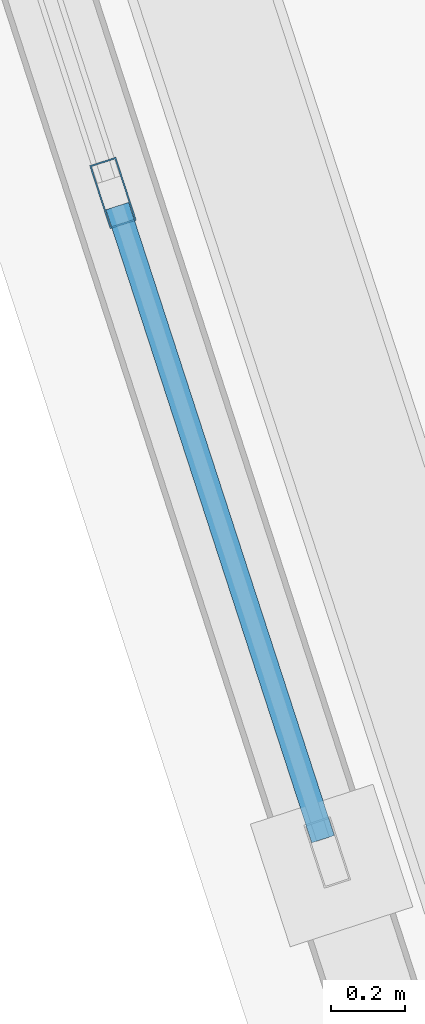
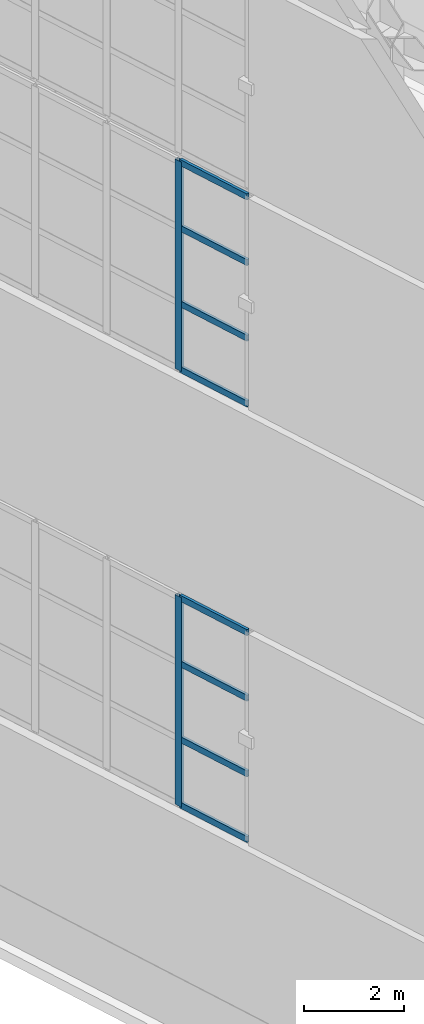
# One storey, part 14 of 56: 10 members, 2 elements without a shape of their own.
"""IFC4 building model written with IfcOpenShell, lengths in metres."""

from ifc_helpers import new_model, si_unit, direction, frame, origin, origin_2d, place, context, subcontext, project, spatial, hollow_rectangle, extrude, material, layer, layer_set, material_profile, profile_set, type_object, element, aggregate, save


model = new_model("IFC4")

# Units and contexts
model_context = context("Model", 3, precision=1e-05, world=origin(), true_north=direction((0.0, 1.0)))
body_context = subcontext(model_context, "Body", "Model", "MODEL_VIEW")
ifc_project = project(units=[si_unit("LENGTHUNIT", "METRE"), si_unit("AREAUNIT", "SQUARE_METRE"), si_unit("VOLUMEUNIT", "CUBIC_METRE"), si_unit("PLANEANGLEUNIT", "RADIAN"), si_unit("MASSUNIT", "GRAM", prefix="KILO")], contexts=[model_context])

# Site, building, storey
site_placement = place(None, origin())
site = spatial("IfcSite", under=ifc_project, at=site_placement, CompositionType="ELEMENT")
building_placement = place(site_placement, origin())
building = spatial("IfcBuilding", under=site, at=building_placement, Name="Qiaolan Cultural Towers", CompositionType="ELEMENT")
storey_placement = place(building_placement, frame((0.0, 0.0, 250.39990234375)))
storey = spatial("IfcBuildingStorey", under=building, at=storey_placement, Name="L68", CompositionType="ELEMENT", Elevation=250.39990234375)

# Curtain wall, member
ifc_material_1 = material(Name="Unitized Anodized Aluminium Curtain Wall System", Category="aluminium")
ifc_layer = layer(ifc_material_1, 0.199951171875)
ifc_layer_set = layer_set([ifc_layer], Name="Unitized Anodized Aluminium Curtain Wall System")
curtain_wall_type = type_object("IfcCurtainWallType", Name="CWS-06", PredefinedType="NOTDEFINED", material=ifc_layer_set)
curtain_wall_1_placement = place(storey_placement, origin())
curtain_wall_1 = element("IfcCurtainWall", 1, at=curtain_wall_1_placement, inside=storey, type_object=curtain_wall_type, Name="T2 Crown Tier 2 Fritted Screen Curtain Wall 7", PredefinedType="NOTDEFINED")
ifc_material_2 = material(Name="Extruded Aluminium 6063-T6", Category="aluminium")
ifc_material_profile_1 = material_profile(ifc_material_2, hollow_rectangle(XDim=0.074951171875, YDim=0.179931640625, WallThickness=0.00390625, at=origin_2d()), Name="CWM-180x75x4")
ifc_profile_set_1 = profile_set([ifc_material_profile_1], Name="Extruded Aluminium 6063-T6")
member_type_1 = type_object("IfcMemberType", Name="CWS-06-MUL", PredefinedType="MULLION", material=ifc_profile_set_1)
member_1_placement = place(storey_placement, frame((78.014404296875, 26.068115234375, 5.400146484375), z_axis=(0.0, 0.0, 1.0), x_axis=(0.951056535512, 0.309016935232, 0.0)))
member_1 = element("IfcMember", 2, at=member_1_placement, type_object=member_type_1, Name="CW-6 mullion 6", PredefinedType="MULLION", context=body_context, shape_type="SweptSolid", body=[
    extrude(hollow_rectangle(XDim=0.074951171875, YDim=0.179931640625, WallThickness=0.00390625, at=origin_2d()), origin(), (0.0, 0.0, 1.0), 5.099853515625),
])

curtain_wall_2_placement = place(storey_placement, origin())
curtain_wall_2 = element("IfcCurtainWall", 3, at=curtain_wall_2_placement, inside=storey, type_object=curtain_wall_type, Name="T2 Crown Tier 4 Fritted Screen Curtain Wall 7", PredefinedType="NOTDEFINED")
member_2_placement = place(storey_placement, frame((78.014404296875, 26.068115234375, 16.0), z_axis=(0.0, 0.0, 1.0), x_axis=(0.951056535512, 0.309016935232, 0.0)))
member_2 = element("IfcMember", 4, at=member_2_placement, type_object=member_type_1, Name="CW-6 mullion 6", PredefinedType="MULLION", context=body_context, shape_type="SweptSolid", body=[
    extrude(hollow_rectangle(XDim=0.074951171875, YDim=0.179931640625, WallThickness=0.00390625, at=origin_2d()), origin(), (0.0, 0.0, 1.0), 5.10009765625),
])

# Member
ifc_material_3 = material(Name="Extruded Aluminium 6063-T6", Category="aluminium")
ifc_material_profile_2 = material_profile(ifc_material_3, hollow_rectangle(XDim=0.06494140625, YDim=0.14990234375, WallThickness=0.00390625, at=origin_2d()), Name="CWT-150x65x4")
ifc_profile_set_2 = profile_set([ifc_material_profile_2], Name="Extruded Aluminium 6063-T6")
member_type_2 = type_object("IfcMemberType", Name="CWS-06-TRN", PredefinedType="USERDEFINED", material=ifc_profile_set_2)
member_3_placement = place(storey_placement, frame((78.026123046875, 26.032470703125, 5.4326171875), z_axis=(0.309046367257, -0.951046971966, 0.0), x_axis=(0.951046971966, 0.309046367257, 0.0)))
member_3 = element("IfcMember", 5, at=member_3_placement, type_object=member_type_2, Name="CW-6 transom 6.1", ObjectType="TRANSOM", PredefinedType="USERDEFINED", context=body_context, shape_type="SweptSolid", body=[
    extrude(hollow_rectangle(XDim=0.06494140625, YDim=0.14990234375, WallThickness=0.00390625, at=origin_2d()), origin(), (0.0, 0.0, 1.0), 1.807373046875),
])

member_4_placement = place(storey_placement, frame((78.026123046875, 26.032470703125, 7.030029296875), z_axis=(0.309046367257, -0.951046971966, 0.0), x_axis=(0.951046971966, 0.309046367257, 0.0)))
member_4 = element("IfcMember", 6, at=member_4_placement, type_object=member_type_2, Name="CW-6 transom 6.2", ObjectType="TRANSOM", PredefinedType="USERDEFINED", context=body_context, shape_type="SweptSolid", body=[
    extrude(hollow_rectangle(XDim=0.06494140625, YDim=0.14990234375, WallThickness=0.00390625, at=origin_2d()), origin(), (0.0, 0.0, 1.0), 1.807373046875),
])

member_5_placement = place(storey_placement, frame((78.026123046875, 26.032470703125, 8.8701171875), z_axis=(0.309046367257, -0.951046971966, 0.0), x_axis=(0.951046971966, 0.309046367257, 0.0)))
member_5 = element("IfcMember", 7, at=member_5_placement, type_object=member_type_2, Name="CW-6 transom 6.3", ObjectType="TRANSOM", PredefinedType="USERDEFINED", context=body_context, shape_type="SweptSolid", body=[
    extrude(hollow_rectangle(XDim=0.06494140625, YDim=0.14990234375, WallThickness=0.00390625, at=origin_2d()), origin(), (0.0, 0.0, 1.0), 1.807373046875),
])

member_6_placement = place(storey_placement, frame((78.026123046875, 26.032470703125, 10.467529296875), z_axis=(0.309046367257, -0.951046971966, 0.0), x_axis=(0.951046971966, 0.309046367257, 0.0)))
member_6 = element("IfcMember", 8, at=member_6_placement, type_object=member_type_2, Name="CW-6 transom 6.4", ObjectType="TRANSOM", PredefinedType="USERDEFINED", context=body_context, shape_type="SweptSolid", body=[
    extrude(hollow_rectangle(XDim=0.06494140625, YDim=0.14990234375, WallThickness=0.00390625, at=origin_2d()), origin(), (0.0, 0.0, 1.0), 1.807373046875),
])

aggregate(curtain_wall_1, [member_1, member_3, member_4, member_5, member_6])

member_7_placement = place(storey_placement, frame((78.026123046875, 26.032470703125, 16.03271484375), z_axis=(0.309046367257, -0.951046971966, 0.0), x_axis=(0.951046971966, 0.309046367257, 0.0)))
member_7 = element("IfcMember", 9, at=member_7_placement, type_object=member_type_2, Name="CW-6 transom 6.1", ObjectType="TRANSOM", PredefinedType="USERDEFINED", context=body_context, shape_type="SweptSolid", body=[
    extrude(hollow_rectangle(XDim=0.06494140625, YDim=0.14990234375, WallThickness=0.00390625, at=origin_2d()), origin(), (0.0, 0.0, 1.0), 1.807373046875),
])

member_8_placement = place(storey_placement, frame((78.026123046875, 26.032470703125, 17.630126953125), z_axis=(0.309046367257, -0.951046971966, 0.0), x_axis=(0.951046971966, 0.309046367257, 0.0)))
member_8 = element("IfcMember", 10, at=member_8_placement, type_object=member_type_2, Name="CW-6 transom 6.2", ObjectType="TRANSOM", PredefinedType="USERDEFINED", context=body_context, shape_type="SweptSolid", body=[
    extrude(hollow_rectangle(XDim=0.06494140625, YDim=0.14990234375, WallThickness=0.00390625, at=origin_2d()), origin(), (0.0, 0.0, 1.0), 1.807373046875),
])

member_9_placement = place(storey_placement, frame((78.026123046875, 26.032470703125, 19.47021484375), z_axis=(0.309046367257, -0.951046971966, 0.0), x_axis=(0.951046971966, 0.309046367257, 0.0)))
member_9 = element("IfcMember", 11, at=member_9_placement, type_object=member_type_2, Name="CW-6 transom 6.3", ObjectType="TRANSOM", PredefinedType="USERDEFINED", context=body_context, shape_type="SweptSolid", body=[
    extrude(hollow_rectangle(XDim=0.06494140625, YDim=0.14990234375, WallThickness=0.00390625, at=origin_2d()), origin(), (0.0, 0.0, 1.0), 1.807373046875),
])

member_10_placement = place(storey_placement, frame((78.026123046875, 26.032470703125, 21.067626953125), z_axis=(0.309046367257, -0.951046971966, 0.0), x_axis=(0.951046971966, 0.309046367257, 0.0)))
member_10 = element("IfcMember", 12, at=member_10_placement, type_object=member_type_2, Name="CW-6 transom 6.4", ObjectType="TRANSOM", PredefinedType="USERDEFINED", context=body_context, shape_type="SweptSolid", body=[
    extrude(hollow_rectangle(XDim=0.06494140625, YDim=0.14990234375, WallThickness=0.00390625, at=origin_2d()), origin(), (0.0, 0.0, 1.0), 1.807373046875),
])

aggregate(curtain_wall_2, [member_2, member_7, member_8, member_9, member_10])

save(model, "model.ifc")
